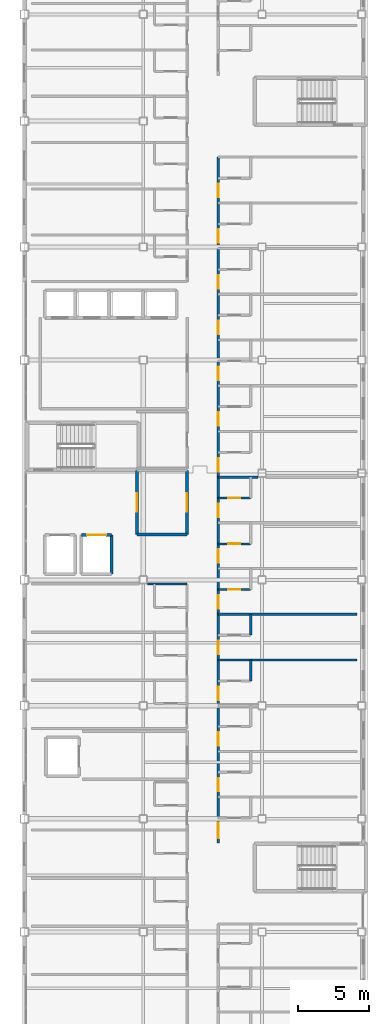
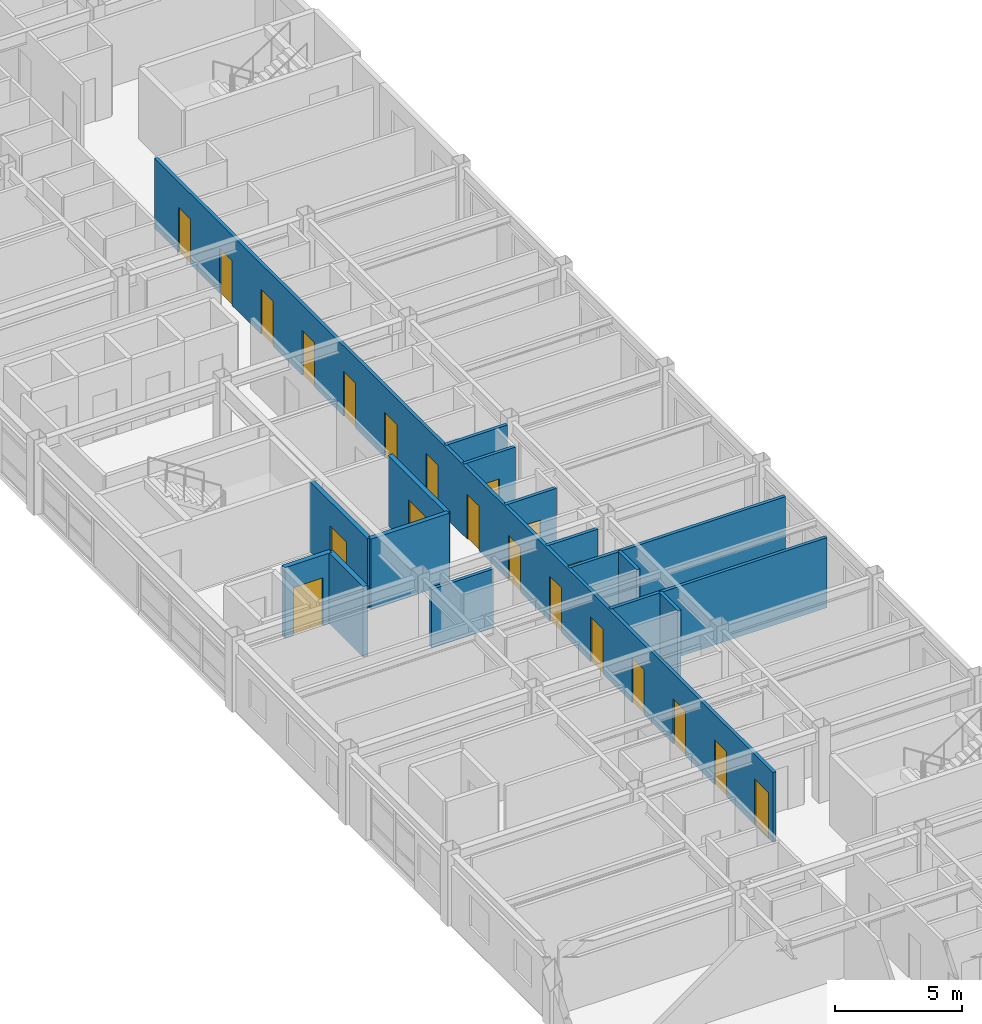
# One storey, part 27 of 36: 21 doors, 15 walls, 21 openings.
"""IFC4 building model written with IfcOpenShell, lengths in metres."""

from ifc_helpers import new_model, si_unit, direction, frame, frame_2d, origin, place, context, subcontext, project, spatial, rectangle, extrude, material, layer, layer_set, type_object, element, fill, save


model = new_model("IFC4")

# Units and contexts
model_context = context("Model", 3, precision=1e-05, world=origin(), true_north=direction((0.0, 1.0)))
body_context = subcontext(model_context, "Body", "Model", "MODEL_VIEW")
ifc_project = project(units=[si_unit("LENGTHUNIT", "METRE"), si_unit("AREAUNIT", "SQUARE_METRE"), si_unit("VOLUMEUNIT", "CUBIC_METRE"), si_unit("PLANEANGLEUNIT", "RADIAN"), si_unit("MASSUNIT", "GRAM", prefix="KILO")], contexts=[model_context])

# Site, building, storey
site_placement = place(None, origin())
site = spatial("IfcSite", under=ifc_project, at=site_placement, CompositionType="ELEMENT")
building_placement = place(site_placement, origin())
building = spatial("IfcBuilding", under=site, at=building_placement, Name="Kazehara Bluff Congress Hotel", CompositionType="ELEMENT")
storey_placement = place(building_placement, frame((0.0, 0.0, 28.199951171875)))
storey = spatial("IfcBuildingStorey", under=building, at=storey_placement, Name="L06", CompositionType="ELEMENT", Elevation=28.199951171875)

# Wall
ifc_material_1 = material(Name="Concrete C40/50", Category="concrete")
ifc_layer_1 = layer(ifc_material_1, 0.199951171875)
ifc_layer_set_1 = layer_set([ifc_layer_1], Name="Concrete C40/50")
wall_type_1 = type_object("IfcWallType", Name="TP-FW-RC", PredefinedType="SOLIDWALL", material=ifc_layer_set_1)
wall_1_placement = place(storey_placement, frame((151.64990234375, 44.10009765625, 0.0), z_axis=(0.0, 0.0, 1.0), x_axis=(1.0, 0.0, 0.0)))
element("IfcWall", 1, at=wall_1_placement, inside=storey, type_object=wall_type_1, Name="L06 partition FW-RC 732", PredefinedType="SOLIDWALL", context=body_context, shape_type="SweptSolid", body=[
    extrude(rectangle(XDim=3.550048828125, YDim=0.199951171875, at=frame_2d((1.77490234375, 0.0))), origin(), (0.0, 0.0, 1.0), 3.364990234375),
])

# Wall, opening, door
wall_2_placement = place(storey_placement, frame((151.64990234375, 44.10009765625, 0.0), z_axis=(0.0, 0.0, 1.0), x_axis=(0.0, 1.0, 0.0)))
wall_2 = element("IfcWall", 2, at=wall_2_placement, inside=storey, type_object=wall_type_1, Name="L06 partition FW-RC 800", PredefinedType="SOLIDWALL", context=body_context, shape_type="SweptSolid", body=[
    extrude(rectangle(XDim=4.5498046875, YDim=0.199951171875, at=frame_2d((2.27490234375, 0.0))), origin(), (0.0, 0.0, 1.0), 3.364990234375),
])
opening_1_placement = place(wall_2_placement, frame((1.625, 0.0, 0.0)))
opening_1 = element("IfcOpeningElement", 3, at=opening_1_placement, cuts=wall_2, Name="Opening FD-01", PredefinedType="OPENING", context=body_context, shape_type="SweptSolid", body=[
    extrude(rectangle(XDim=1.300048828125, YDim=2.199951171875, at=frame_2d((0.64990234375, 1.10009765625))), frame((0.0, 0.10986328125, 0.0), z_axis=(0.0, -1.0, 0.0), x_axis=(1.0, 0.0, 0.0)), (0.0, 0.0, 1.0), 0.219970703125),
])
ifc_material_2 = material(Name="Fire-rated painted steel leaf", Category="steel")
door_type_1 = type_object("IfcDoorType", Name="TP-FD-01", OperationType="NOTDEFINED", PredefinedType="DOOR", material=ifc_material_2)
door_1_placement = place(opening_1_placement, origin())
door_1 = element("IfcDoor", 4, at=door_1_placement, inside=storey, type_object=door_type_1, Name="L06 Emergency Firefighting Lobby door", OperationType="SINGLE_SWING_LEFT", OverallHeight=2.199951171875, OverallWidth=1.300048828125, PredefinedType="DOOR", context=body_context, shape_type="SweptSolid", body=[
    extrude(rectangle(XDim=1.300048828125, YDim=2.199951171875, at=frame_2d((0.64990234375, 1.10009765625))), frame((0.0, 0.02490234375, 0.0), z_axis=(0.0, -1.0, 0.0), x_axis=(1.0, 0.0, 0.0)), (0.0, 0.0, 1.0), 0.050048828125),
])
fill(opening_1, door_1)

wall_3_placement = place(storey_placement, frame((155.199951171875, 44.10009765625, 0.0), z_axis=(0.0, 0.0, 1.0), x_axis=(0.0, 1.0, 0.0)))
wall_3 = element("IfcWall", 5, at=wall_3_placement, inside=storey, type_object=wall_type_1, Name="L06 partition FW-RC 824", PredefinedType="SOLIDWALL", context=body_context, shape_type="SweptSolid", body=[
    extrude(rectangle(XDim=4.5498046875, YDim=0.199951171875, at=frame_2d((2.27490234375, 0.0))), origin(), (0.0, 0.0, 1.0), 3.364990234375),
])
opening_2_placement = place(wall_3_placement, frame((1.625, 0.0, 0.0)))
opening_2 = element("IfcOpeningElement", 6, at=opening_2_placement, cuts=wall_3, Name="Opening FD-01", PredefinedType="OPENING", context=body_context, shape_type="SweptSolid", body=[
    extrude(rectangle(XDim=1.300048828125, YDim=2.199951171875, at=frame_2d((0.64990234375, 1.10009765625))), frame((0.0, 0.10986328125, 0.0), z_axis=(0.0, -1.0, 0.0), x_axis=(1.0, 0.0, 0.0)), (0.0, 0.0, 1.0), 0.219970703125),
])
door_2_placement = place(opening_2_placement, origin())
door_2 = element("IfcDoor", 7, at=door_2_placement, inside=storey, type_object=door_type_1, Name="L06 Smoke Vestibule Lobby door", OperationType="SINGLE_SWING_RIGHT", OverallHeight=2.199951171875, OverallWidth=1.300048828125, PredefinedType="DOOR", context=body_context, shape_type="SweptSolid", body=[
    extrude(rectangle(XDim=1.300048828125, YDim=2.199951171875, at=frame_2d((0.64990234375, 1.10009765625))), frame((0.0, 0.02490234375, 0.0), z_axis=(0.0, -1.0, 0.0), x_axis=(1.0, 0.0, 0.0)), (0.0, 0.0, 1.0), 0.050048828125),
])
fill(opening_2, door_2)

# Walls
ifc_material_3 = material(Name="Fire-rated gypsum board stud partition")
ifc_layer_2 = layer(ifc_material_3, 0.14990234375)
ifc_layer_set_2 = layer_set([ifc_layer_2], Name="Fire-rated gypsum board stud partition")
wall_type_2 = type_object("IfcWallType", Name="TP-PT-150", PredefinedType="PARTITIONING", material=ifc_layer_set_2)
for number, where, z_axis, x_axis, name in (
    (8, (157.39990234375, 35.22998046875, 0.0), (0.0, 0.0, 1.0), (1.0, 0.0, 0.0), "L06 partition PT-150 721"),
    (9, (157.39990234375, 38.469970703125, 0.0), (0.0, 0.0, 1.0), (1.0, 0.0, 0.0), "L06 partition PT-150 725"),
):
    element("IfcWall", number, at=place(storey_placement, frame(where, z_axis=z_axis, x_axis=x_axis)), inside=storey, type_object=wall_type_2, Name=name, PredefinedType="PARTITIONING", context=body_context, shape_type="SweptSolid", body=[
        extrude(rectangle(XDim=9.800048828125, YDim=0.14990234375, at=frame_2d((4.89990234375, 0.0))), origin(), (0.0, 0.0, 1.0), 3.364990234375),
    ])

# Wall, opening, door
wall_4_placement = place(storey_placement, frame((157.39990234375, 40.219970703125, 0.0), z_axis=(0.0, 0.0, 1.0), x_axis=(1.0, 0.0, 0.0)))
wall_4 = element("IfcWall", 10, at=wall_4_placement, inside=storey, type_object=wall_type_2, Name="L06 partition PT-150 727", PredefinedType="PARTITIONING", context=body_context, shape_type="SweptSolid", body=[
    extrude(rectangle(XDim=2.300048828125, YDim=0.14990234375, at=frame_2d((1.14990234375, 0.0))), origin(), (0.0, 0.0, 1.0), 3.364990234375),
])
opening_3_placement = place(wall_4_placement, frame((0.72509765625, 0.0, 0.0)))
opening_3 = element("IfcOpeningElement", 11, at=opening_3_placement, cuts=wall_4, Name="Opening BD-01", PredefinedType="OPENING", context=body_context, shape_type="SweptSolid", body=[
    extrude(rectangle(XDim=0.85009765625, YDim=2.10009765625, at=frame_2d((0.425048828125, 1.050048828125))), frame((0.0, 0.0849609375, 0.0), z_axis=(0.0, -1.0, 0.0), x_axis=(1.0, 0.0, 0.0)), (0.0, 0.0, 1.0), 0.169921875),
])
ifc_material_4 = material(Name="Architectural oak veneer leaf")
door_type_2 = type_object("IfcDoorType", Name="TP-BD-01", OperationType="NOTDEFINED", PredefinedType="DOOR", material=ifc_material_4)
door_3_placement = place(opening_3_placement, origin())
door_3 = element("IfcDoor", 12, at=door_3_placement, inside=storey, type_object=door_type_2, Name="L06 En-suite Bathroom 149 door", OperationType="SINGLE_SWING_LEFT", OverallHeight=2.10009765625, OverallWidth=0.85009765625, PredefinedType="DOOR", context=body_context, shape_type="SweptSolid", body=[
    extrude(rectangle(XDim=0.85009765625, YDim=2.10009765625, at=frame_2d((0.425048828125, 1.050048828125))), frame((0.0, 0.02490234375, 0.0), z_axis=(0.0, -1.0, 0.0), x_axis=(1.0, 0.0, 0.0)), (0.0, 0.0, 1.0), 0.050048828125),
])
fill(opening_3, door_3)

# Wall
wall_5_placement = place(storey_placement, frame((152.39501953125, 40.60009765625, 0.0), z_axis=(0.0, 0.0, 1.0), x_axis=(1.0, 0.0, 0.0)))
element("IfcWall", 13, at=wall_5_placement, inside=storey, type_object=wall_type_2, Name="L06 partition PT-150 729", PredefinedType="PARTITIONING", context=body_context, shape_type="SweptSolid", body=[
    extrude(rectangle(XDim=2.804931640625, YDim=0.14990234375, at=frame_2d((1.40234375, 0.0))), origin(), (0.0, 0.0, 1.0), 2.804931640625),
])

# Wall, opening, door
wall_6_placement = place(storey_placement, frame((157.39990234375, 43.449951171875, 0.0), z_axis=(0.0, 0.0, 1.0), x_axis=(1.0, 0.0, 0.0)))
wall_6 = element("IfcWall", 14, at=wall_6_placement, inside=storey, type_object=wall_type_2, Name="L06 partition PT-150 731", PredefinedType="PARTITIONING", context=body_context, shape_type="SweptSolid", body=[
    extrude(rectangle(XDim=2.300048828125, YDim=0.14990234375, at=frame_2d((1.14990234375, 0.0))), origin(), (0.0, 0.0, 1.0), 3.364990234375),
])
opening_4_placement = place(wall_6_placement, frame((0.72509765625, 0.0, 0.0)))
opening_4 = element("IfcOpeningElement", 15, at=opening_4_placement, cuts=wall_6, Name="Opening BD-01", PredefinedType="OPENING", context=body_context, shape_type="SweptSolid", body=[
    extrude(rectangle(XDim=0.85009765625, YDim=2.10009765625, at=frame_2d((0.425048828125, 1.050048828125))), frame((0.0, 0.0849609375, 0.0), z_axis=(0.0, -1.0, 0.0), x_axis=(1.0, 0.0, 0.0)), (0.0, 0.0, 1.0), 0.169921875),
])
door_4_placement = place(opening_4_placement, origin())
door_4 = element("IfcDoor", 16, at=door_4_placement, inside=storey, type_object=door_type_2, Name="L06 En-suite Bathroom 150 door", OperationType="SINGLE_SWING_LEFT", OverallHeight=2.10009765625, OverallWidth=0.85009765625, PredefinedType="DOOR", context=body_context, shape_type="SweptSolid", body=[
    extrude(rectangle(XDim=0.85009765625, YDim=2.10009765625, at=frame_2d((0.425048828125, 1.050048828125))), frame((0.0, 0.02490234375, 0.0), z_axis=(0.0, -1.0, 0.0), x_axis=(1.0, 0.0, 0.0)), (0.0, 0.0, 1.0), 0.050048828125),
])
fill(opening_4, door_4)

wall_7_placement = place(storey_placement, frame((157.39990234375, 46.68994140625, 0.0), z_axis=(0.0, 0.0, 1.0), x_axis=(1.0, 0.0, 0.0)))
wall_7 = element("IfcWall", 17, at=wall_7_placement, inside=storey, type_object=wall_type_2, Name="L06 partition PT-150 734", PredefinedType="PARTITIONING", context=body_context, shape_type="SweptSolid", body=[
    extrude(rectangle(XDim=2.300048828125, YDim=0.14990234375, at=frame_2d((1.14990234375, 0.0))), origin(), (0.0, 0.0, 1.0), 3.364990234375),
])
opening_5_placement = place(wall_7_placement, frame((0.72509765625, 0.0, 0.0)))
opening_5 = element("IfcOpeningElement", 18, at=opening_5_placement, cuts=wall_7, Name="Opening BD-01", PredefinedType="OPENING", context=body_context, shape_type="SweptSolid", body=[
    extrude(rectangle(XDim=0.85009765625, YDim=2.10009765625, at=frame_2d((0.425048828125, 1.050048828125))), frame((0.0, 0.0849609375, 0.0), z_axis=(0.0, -1.0, 0.0), x_axis=(1.0, 0.0, 0.0)), (0.0, 0.0, 1.0), 0.169921875),
])
door_5_placement = place(opening_5_placement, origin())
door_5 = element("IfcDoor", 19, at=door_5_placement, inside=storey, type_object=door_type_2, Name="L06 En-suite Bathroom 151 door", OperationType="SINGLE_SWING_LEFT", OverallHeight=2.10009765625, OverallWidth=0.85009765625, PredefinedType="DOOR", context=body_context, shape_type="SweptSolid", body=[
    extrude(rectangle(XDim=0.85009765625, YDim=2.10009765625, at=frame_2d((0.425048828125, 1.050048828125))), frame((0.0, 0.02490234375, 0.0), z_axis=(0.0, -1.0, 0.0), x_axis=(1.0, 0.0, 0.0)), (0.0, 0.0, 1.0), 0.050048828125),
])
fill(opening_5, door_5)

# Wall
wall_8_placement = place(storey_placement, frame((157.39990234375, 48.159912109375, 0.0), z_axis=(0.0, 0.0, 1.0), x_axis=(1.0, 0.0, 0.0)))
element("IfcWall", 20, at=wall_8_placement, inside=storey, type_object=wall_type_2, Name="L06 partition PT-150 735", PredefinedType="PARTITIONING", context=body_context, shape_type="SweptSolid", body=[
    extrude(rectangle(XDim=2.80517578125, YDim=0.14990234375, at=frame_2d((1.402587890625, 0.0))), origin(), (0.0, 0.0, 1.0), 3.364990234375),
])

# Wall, openings, doors
wall_9_placement = place(storey_placement, frame((157.39990234375, 22.300048828125, 0.0), z_axis=(0.0, 0.0, 1.0), x_axis=(0.0, 1.0, 0.0)))
wall_9 = element("IfcWall", 21, at=wall_9_placement, inside=storey, type_object=wall_type_2, Name="L06 partition PT-150 829", PredefinedType="PARTITIONING", context=body_context, shape_type="SweptSolid", body=[
    extrude(rectangle(XDim=48.5, YDim=0.14990234375, at=frame_2d((24.25, 0.0))), origin(), (0.0, 0.0, 1.0), 3.364990234375),
])
opening_6_placement = place(wall_9_placement, frame((0.324951171875, 0.0, 0.0)))
opening_6 = element("IfcOpeningElement", 22, at=opening_6_placement, cuts=wall_9, Name="Opening GD-02", PredefinedType="OPENING", context=body_context, shape_type="SweptSolid", body=[
    extrude(rectangle(XDim=1.10009765625, YDim=2.199951171875, at=frame_2d((0.550048828125, 1.10009765625))), frame((0.0, 0.0849609375, 0.0), z_axis=(0.0, -1.0, 0.0), x_axis=(1.0, 0.0, 0.0)), (0.0, 0.0, 1.0), 0.169921875),
])
opening_7_placement = place(wall_9_placement, frame((3.635009765625, 0.0, 0.0)))
opening_7 = element("IfcOpeningElement", 23, at=opening_7_placement, cuts=wall_9, Name="Opening GD-01", PredefinedType="OPENING", context=body_context, shape_type="SweptSolid", body=[
    extrude(rectangle(XDim=0.949951171875, YDim=2.14990234375, at=frame_2d((0.47509765625, 1.074951171875))), frame((0.0, 0.0849609375, 0.0), z_axis=(0.0, -1.0, 0.0), x_axis=(1.0, 0.0, 0.0)), (0.0, 0.0, 1.0), 0.169921875),
])
opening_8_placement = place(wall_9_placement, frame((6.864990234375, 0.0, 0.0)))
opening_8 = element("IfcOpeningElement", 24, at=opening_8_placement, cuts=wall_9, Name="Opening GD-01", PredefinedType="OPENING", context=body_context, shape_type="SweptSolid", body=[
    extrude(rectangle(XDim=0.949951171875, YDim=2.14990234375, at=frame_2d((0.47509765625, 1.074951171875))), frame((0.0, 0.0849609375, 0.0), z_axis=(0.0, -1.0, 0.0), x_axis=(1.0, 0.0, 0.0)), (0.0, 0.0, 1.0), 0.169921875),
])
opening_9_placement = place(wall_9_placement, frame((10.10009765625, 0.0, 0.0)))
opening_9 = element("IfcOpeningElement", 25, at=opening_9_placement, cuts=wall_9, Name="Opening GD-01", PredefinedType="OPENING", context=body_context, shape_type="SweptSolid", body=[
    extrude(rectangle(XDim=0.949951171875, YDim=2.14990234375, at=frame_2d((0.47509765625, 1.074951171875))), frame((0.0, 0.0849609375, 0.0), z_axis=(0.0, -1.0, 0.0), x_axis=(1.0, 0.0, 0.0)), (0.0, 0.0, 1.0), 0.169921875),
])
opening_10_placement = place(wall_9_placement, frame((13.3349609375, 0.0, 0.0)))
opening_10 = element("IfcOpeningElement", 26, at=opening_10_placement, cuts=wall_9, Name="Opening GD-01", PredefinedType="OPENING", context=body_context, shape_type="SweptSolid", body=[
    extrude(rectangle(XDim=0.949951171875, YDim=2.14990234375, at=frame_2d((0.47509765625, 1.074951171875))), frame((0.0, 0.0849609375, 0.0), z_axis=(0.0, -1.0, 0.0), x_axis=(1.0, 0.0, 0.0)), (0.0, 0.0, 1.0), 0.169921875),
])
opening_11_placement = place(wall_9_placement, frame((16.56494140625, 0.0, 0.0)))
opening_11 = element("IfcOpeningElement", 27, at=opening_11_placement, cuts=wall_9, Name="Opening GD-01", PredefinedType="OPENING", context=body_context, shape_type="SweptSolid", body=[
    extrude(rectangle(XDim=0.949951171875, YDim=2.14990234375, at=frame_2d((0.47509765625, 1.074951171875))), frame((0.0, 0.0849609375, 0.0), z_axis=(0.0, -1.0, 0.0), x_axis=(1.0, 0.0, 0.0)), (0.0, 0.0, 1.0), 0.169921875),
])
opening_12_placement = place(wall_9_placement, frame((19.800048828125, 0.0, 0.0)))
opening_12 = element("IfcOpeningElement", 28, at=opening_12_placement, cuts=wall_9, Name="Opening GD-01", PredefinedType="OPENING", context=body_context, shape_type="SweptSolid", body=[
    extrude(rectangle(XDim=0.949951171875, YDim=2.14990234375, at=frame_2d((0.47509765625, 1.074951171875))), frame((0.0, 0.0849609375, 0.0), z_axis=(0.0, -1.0, 0.0), x_axis=(1.0, 0.0, 0.0)), (0.0, 0.0, 1.0), 0.169921875),
])
opening_13_placement = place(wall_9_placement, frame((23.034912109375, 0.0, 0.0)))
opening_13 = element("IfcOpeningElement", 29, at=opening_13_placement, cuts=wall_9, Name="Opening GD-01", PredefinedType="OPENING", context=body_context, shape_type="SweptSolid", body=[
    extrude(rectangle(XDim=0.949951171875, YDim=2.14990234375, at=frame_2d((0.47509765625, 1.074951171875))), frame((0.0, 0.0849609375, 0.0), z_axis=(0.0, -1.0, 0.0), x_axis=(1.0, 0.0, 0.0)), (0.0, 0.0, 1.0), 0.169921875),
])
opening_14_placement = place(wall_9_placement, frame((26.264892578125, 0.0, 0.0)))
opening_14 = element("IfcOpeningElement", 30, at=opening_14_placement, cuts=wall_9, Name="Opening GD-01", PredefinedType="OPENING", context=body_context, shape_type="SweptSolid", body=[
    extrude(rectangle(XDim=0.949951171875, YDim=2.14990234375, at=frame_2d((0.47509765625, 1.074951171875))), frame((0.0, 0.0849609375, 0.0), z_axis=(0.0, -1.0, 0.0), x_axis=(1.0, 0.0, 0.0)), (0.0, 0.0, 1.0), 0.169921875),
])
opening_15_placement = place(wall_9_placement, frame((29.5, 0.0, 0.0)))
opening_15 = element("IfcOpeningElement", 31, at=opening_15_placement, cuts=wall_9, Name="Opening GD-01", PredefinedType="OPENING", context=body_context, shape_type="SweptSolid", body=[
    extrude(rectangle(XDim=0.949951171875, YDim=2.14990234375, at=frame_2d((0.47509765625, 1.074951171875))), frame((0.0, 0.0849609375, 0.0), z_axis=(0.0, -1.0, 0.0), x_axis=(1.0, 0.0, 0.0)), (0.0, 0.0, 1.0), 0.169921875),
])
opening_16_placement = place(wall_9_placement, frame((32.735107421875, 0.0, 0.0)))
opening_16 = element("IfcOpeningElement", 32, at=opening_16_placement, cuts=wall_9, Name="Opening GD-01", PredefinedType="OPENING", context=body_context, shape_type="SweptSolid", body=[
    extrude(rectangle(XDim=0.949951171875, YDim=2.14990234375, at=frame_2d((0.47509765625, 1.074951171875))), frame((0.0, 0.0849609375, 0.0), z_axis=(0.0, -1.0, 0.0), x_axis=(1.0, 0.0, 0.0)), (0.0, 0.0, 1.0), 0.169921875),
])
opening_17_placement = place(wall_9_placement, frame((35.965087890625, 0.0, 0.0)))
opening_17 = element("IfcOpeningElement", 33, at=opening_17_placement, cuts=wall_9, Name="Opening GD-01", PredefinedType="OPENING", context=body_context, shape_type="SweptSolid", body=[
    extrude(rectangle(XDim=0.949951171875, YDim=2.14990234375, at=frame_2d((0.47509765625, 1.074951171875))), frame((0.0, 0.0849609375, 0.0), z_axis=(0.0, -1.0, 0.0), x_axis=(1.0, 0.0, 0.0)), (0.0, 0.0, 1.0), 0.169921875),
])
opening_18_placement = place(wall_9_placement, frame((39.199951171875, 0.0, 0.0)))
opening_18 = element("IfcOpeningElement", 34, at=opening_18_placement, cuts=wall_9, Name="Opening GD-01", PredefinedType="OPENING", context=body_context, shape_type="SweptSolid", body=[
    extrude(rectangle(XDim=0.949951171875, YDim=2.14990234375, at=frame_2d((0.47509765625, 1.074951171875))), frame((0.0, 0.0849609375, 0.0), z_axis=(0.0, -1.0, 0.0), x_axis=(1.0, 0.0, 0.0)), (0.0, 0.0, 1.0), 0.169921875),
])
opening_19_placement = place(wall_9_placement, frame((42.43505859375, 0.0, 0.0)))
opening_19 = element("IfcOpeningElement", 35, at=opening_19_placement, cuts=wall_9, Name="Opening GD-01", PredefinedType="OPENING", context=body_context, shape_type="SweptSolid", body=[
    extrude(rectangle(XDim=0.949951171875, YDim=2.14990234375, at=frame_2d((0.47509765625, 1.074951171875))), frame((0.0, 0.0849609375, 0.0), z_axis=(0.0, -1.0, 0.0), x_axis=(1.0, 0.0, 0.0)), (0.0, 0.0, 1.0), 0.169921875),
])
opening_20_placement = place(wall_9_placement, frame((45.6650390625, 0.0, 0.0)))
opening_20 = element("IfcOpeningElement", 36, at=opening_20_placement, cuts=wall_9, Name="Opening GD-01", PredefinedType="OPENING", context=body_context, shape_type="SweptSolid", body=[
    extrude(rectangle(XDim=0.949951171875, YDim=2.14990234375, at=frame_2d((0.47509765625, 1.074951171875))), frame((0.0, 0.0849609375, 0.0), z_axis=(0.0, -1.0, 0.0), x_axis=(1.0, 0.0, 0.0)), (0.0, 0.0, 1.0), 0.169921875),
])
ifc_material_5 = material(Name="Architectural oak veneer leaf")
door_type_3 = type_object("IfcDoorType", Name="TP-GD-01", OperationType="NOTDEFINED", PredefinedType="DOOR", material=ifc_material_5)
door_6_placement = place(opening_7_placement, origin())
door_6 = element("IfcDoor", 37, at=door_6_placement, inside=storey, type_object=door_type_3, Name="L06 Standard King Guest Room 145 door", OperationType="SINGLE_SWING_RIGHT", OverallHeight=2.14990234375, OverallWidth=0.949951171875, PredefinedType="DOOR", context=body_context, shape_type="SweptSolid", body=[
    extrude(rectangle(XDim=0.949951171875, YDim=2.14990234375, at=frame_2d((0.47509765625, 1.074951171875))), frame((0.0, 0.02490234375, 0.0), z_axis=(0.0, -1.0, 0.0), x_axis=(1.0, 0.0, 0.0)), (0.0, 0.0, 1.0), 0.050048828125),
])
fill(opening_7, door_6)
door_7_placement = place(opening_8_placement, origin())
door_7 = element("IfcDoor", 38, at=door_7_placement, inside=storey, type_object=door_type_3, Name="L06 Deluxe Twin Guest Room 146 door", OperationType="SINGLE_SWING_RIGHT", OverallHeight=2.14990234375, OverallWidth=0.949951171875, PredefinedType="DOOR", context=body_context, shape_type="SweptSolid", body=[
    extrude(rectangle(XDim=0.949951171875, YDim=2.14990234375, at=frame_2d((0.47509765625, 1.074951171875))), frame((0.0, 0.02490234375, 0.0), z_axis=(0.0, -1.0, 0.0), x_axis=(1.0, 0.0, 0.0)), (0.0, 0.0, 1.0), 0.050048828125),
])
fill(opening_8, door_7)
door_8_placement = place(opening_9_placement, origin())
door_8 = element("IfcDoor", 39, at=door_8_placement, inside=storey, type_object=door_type_3, Name="L06 Standard King Guest Room 147 door", OperationType="SINGLE_SWING_RIGHT", OverallHeight=2.14990234375, OverallWidth=0.949951171875, PredefinedType="DOOR", context=body_context, shape_type="SweptSolid", body=[
    extrude(rectangle(XDim=0.949951171875, YDim=2.14990234375, at=frame_2d((0.47509765625, 1.074951171875))), frame((0.0, 0.02490234375, 0.0), z_axis=(0.0, -1.0, 0.0), x_axis=(1.0, 0.0, 0.0)), (0.0, 0.0, 1.0), 0.050048828125),
])
fill(opening_9, door_8)
door_9_placement = place(opening_10_placement, origin())
door_9 = element("IfcDoor", 40, at=door_9_placement, inside=storey, type_object=door_type_3, Name="L06 Deluxe Twin Guest Room 148 door", OperationType="SINGLE_SWING_RIGHT", OverallHeight=2.14990234375, OverallWidth=0.949951171875, PredefinedType="DOOR", context=body_context, shape_type="SweptSolid", body=[
    extrude(rectangle(XDim=0.949951171875, YDim=2.14990234375, at=frame_2d((0.47509765625, 1.074951171875))), frame((0.0, 0.02490234375, 0.0), z_axis=(0.0, -1.0, 0.0), x_axis=(1.0, 0.0, 0.0)), (0.0, 0.0, 1.0), 0.050048828125),
])
fill(opening_10, door_9)
door_10_placement = place(opening_11_placement, origin())
door_10 = element("IfcDoor", 41, at=door_10_placement, inside=storey, type_object=door_type_3, Name="L06 Standard King Guest Room 149 door", OperationType="SINGLE_SWING_RIGHT", OverallHeight=2.14990234375, OverallWidth=0.949951171875, PredefinedType="DOOR", context=body_context, shape_type="SweptSolid", body=[
    extrude(rectangle(XDim=0.949951171875, YDim=2.14990234375, at=frame_2d((0.47509765625, 1.074951171875))), frame((0.0, 0.02490234375, 0.0), z_axis=(0.0, -1.0, 0.0), x_axis=(1.0, 0.0, 0.0)), (0.0, 0.0, 1.0), 0.050048828125),
])
fill(opening_11, door_10)
door_11_placement = place(opening_12_placement, origin())
door_11 = element("IfcDoor", 42, at=door_11_placement, inside=storey, type_object=door_type_3, Name="L06 Deluxe Twin Guest Room 150 door", OperationType="SINGLE_SWING_RIGHT", OverallHeight=2.14990234375, OverallWidth=0.949951171875, PredefinedType="DOOR", context=body_context, shape_type="SweptSolid", body=[
    extrude(rectangle(XDim=0.949951171875, YDim=2.14990234375, at=frame_2d((0.47509765625, 1.074951171875))), frame((0.0, 0.02490234375, 0.0), z_axis=(0.0, -1.0, 0.0), x_axis=(1.0, 0.0, 0.0)), (0.0, 0.0, 1.0), 0.050048828125),
])
fill(opening_12, door_11)
door_12_placement = place(opening_13_placement, origin())
door_12 = element("IfcDoor", 43, at=door_12_placement, inside=storey, type_object=door_type_3, Name="L06 Standard King Guest Room 151 door", OperationType="SINGLE_SWING_RIGHT", OverallHeight=2.14990234375, OverallWidth=0.949951171875, PredefinedType="DOOR", context=body_context, shape_type="SweptSolid", body=[
    extrude(rectangle(XDim=0.949951171875, YDim=2.14990234375, at=frame_2d((0.47509765625, 1.074951171875))), frame((0.0, 0.02490234375, 0.0), z_axis=(0.0, -1.0, 0.0), x_axis=(1.0, 0.0, 0.0)), (0.0, 0.0, 1.0), 0.050048828125),
])
fill(opening_13, door_12)
door_13_placement = place(opening_14_placement, origin())
door_13 = element("IfcDoor", 44, at=door_13_placement, inside=storey, type_object=door_type_3, Name="L06 Deluxe Twin Guest Room 152 door", OperationType="SINGLE_SWING_RIGHT", OverallHeight=2.14990234375, OverallWidth=0.949951171875, PredefinedType="DOOR", context=body_context, shape_type="SweptSolid", body=[
    extrude(rectangle(XDim=0.949951171875, YDim=2.14990234375, at=frame_2d((0.47509765625, 1.074951171875))), frame((0.0, 0.02490234375, 0.0), z_axis=(0.0, -1.0, 0.0), x_axis=(1.0, 0.0, 0.0)), (0.0, 0.0, 1.0), 0.050048828125),
])
fill(opening_14, door_13)
door_14_placement = place(opening_15_placement, origin())
door_14 = element("IfcDoor", 45, at=door_14_placement, inside=storey, type_object=door_type_3, Name="L06 Standard King Guest Room 153 door", OperationType="SINGLE_SWING_RIGHT", OverallHeight=2.14990234375, OverallWidth=0.949951171875, PredefinedType="DOOR", context=body_context, shape_type="SweptSolid", body=[
    extrude(rectangle(XDim=0.949951171875, YDim=2.14990234375, at=frame_2d((0.47509765625, 1.074951171875))), frame((0.0, 0.02490234375, 0.0), z_axis=(0.0, -1.0, 0.0), x_axis=(1.0, 0.0, 0.0)), (0.0, 0.0, 1.0), 0.050048828125),
])
fill(opening_15, door_14)
door_15_placement = place(opening_16_placement, origin())
door_15 = element("IfcDoor", 46, at=door_15_placement, inside=storey, type_object=door_type_3, Name="L06 Deluxe Twin Guest Room 154 door", OperationType="SINGLE_SWING_RIGHT", OverallHeight=2.14990234375, OverallWidth=0.949951171875, PredefinedType="DOOR", context=body_context, shape_type="SweptSolid", body=[
    extrude(rectangle(XDim=0.949951171875, YDim=2.14990234375, at=frame_2d((0.47509765625, 1.074951171875))), frame((0.0, 0.02490234375, 0.0), z_axis=(0.0, -1.0, 0.0), x_axis=(1.0, 0.0, 0.0)), (0.0, 0.0, 1.0), 0.050048828125),
])
fill(opening_16, door_15)
door_16_placement = place(opening_17_placement, origin())
door_16 = element("IfcDoor", 47, at=door_16_placement, inside=storey, type_object=door_type_3, Name="L06 Standard King Guest Room 155 door", OperationType="SINGLE_SWING_RIGHT", OverallHeight=2.14990234375, OverallWidth=0.949951171875, PredefinedType="DOOR", context=body_context, shape_type="SweptSolid", body=[
    extrude(rectangle(XDim=0.949951171875, YDim=2.14990234375, at=frame_2d((0.47509765625, 1.074951171875))), frame((0.0, 0.02490234375, 0.0), z_axis=(0.0, -1.0, 0.0), x_axis=(1.0, 0.0, 0.0)), (0.0, 0.0, 1.0), 0.050048828125),
])
fill(opening_17, door_16)
door_17_placement = place(opening_18_placement, origin())
door_17 = element("IfcDoor", 48, at=door_17_placement, inside=storey, type_object=door_type_3, Name="L06 Deluxe Twin Guest Room 156 door", OperationType="SINGLE_SWING_RIGHT", OverallHeight=2.14990234375, OverallWidth=0.949951171875, PredefinedType="DOOR", context=body_context, shape_type="SweptSolid", body=[
    extrude(rectangle(XDim=0.949951171875, YDim=2.14990234375, at=frame_2d((0.47509765625, 1.074951171875))), frame((0.0, 0.02490234375, 0.0), z_axis=(0.0, -1.0, 0.0), x_axis=(1.0, 0.0, 0.0)), (0.0, 0.0, 1.0), 0.050048828125),
])
fill(opening_18, door_17)
door_18_placement = place(opening_19_placement, origin())
door_18 = element("IfcDoor", 49, at=door_18_placement, inside=storey, type_object=door_type_3, Name="L06 Standard King Guest Room 157 door", OperationType="SINGLE_SWING_RIGHT", OverallHeight=2.14990234375, OverallWidth=0.949951171875, PredefinedType="DOOR", context=body_context, shape_type="SweptSolid", body=[
    extrude(rectangle(XDim=0.949951171875, YDim=2.14990234375, at=frame_2d((0.47509765625, 1.074951171875))), frame((0.0, 0.02490234375, 0.0), z_axis=(0.0, -1.0, 0.0), x_axis=(1.0, 0.0, 0.0)), (0.0, 0.0, 1.0), 0.050048828125),
])
fill(opening_19, door_18)
door_19_placement = place(opening_20_placement, origin())
door_19 = element("IfcDoor", 50, at=door_19_placement, inside=storey, type_object=door_type_3, Name="L06 Deluxe Twin Guest Room 158 door", OperationType="SINGLE_SWING_RIGHT", OverallHeight=2.14990234375, OverallWidth=0.949951171875, PredefinedType="DOOR", context=body_context, shape_type="SweptSolid", body=[
    extrude(rectangle(XDim=0.949951171875, YDim=2.14990234375, at=frame_2d((0.47509765625, 1.074951171875))), frame((0.0, 0.02490234375, 0.0), z_axis=(0.0, -1.0, 0.0), x_axis=(1.0, 0.0, 0.0)), (0.0, 0.0, 1.0), 0.050048828125),
])
fill(opening_20, door_19)
ifc_material_6 = material(Name="Architectural oak veneer leaf")
door_type_4 = type_object("IfcDoorType", Name="TP-GD-02", OperationType="NOTDEFINED", PredefinedType="DOOR", material=ifc_material_6)
door_20_placement = place(opening_6_placement, origin())
door_20 = element("IfcDoor", 51, at=door_20_placement, inside=storey, type_object=door_type_4, Name="L06 Executive Suite 144 door", OperationType="SINGLE_SWING_RIGHT", OverallHeight=2.199951171875, OverallWidth=1.10009765625, PredefinedType="DOOR", context=body_context, shape_type="SweptSolid", body=[
    extrude(rectangle(XDim=1.10009765625, YDim=2.199951171875, at=frame_2d((0.550048828125, 1.10009765625))), frame((0.0, 0.02490234375, 0.0), z_axis=(0.0, -1.0, 0.0), x_axis=(1.0, 0.0, 0.0)), (0.0, 0.0, 1.0), 0.050048828125),
])
fill(opening_6, door_20)

# Walls
wall_10_placement = place(storey_placement, frame((159.699951171875, 33.75, 0.0), z_axis=(0.0, 0.0, 1.0), x_axis=(0.0, 1.0, 0.0)))
element("IfcWall", 52, at=wall_10_placement, inside=storey, type_object=wall_type_2, Name="L06 partition PT-150 839", PredefinedType="PARTITIONING", context=body_context, shape_type="SweptSolid", body=[
    extrude(rectangle(XDim=1.485107421875, YDim=0.14990234375, at=frame_2d((0.74267578125, 0.0))), origin(), (0.0, 0.0, 1.0), 3.364990234375),
])
wall_11_placement = place(storey_placement, frame((159.699951171875, 36.985107421875, 0.0), z_axis=(0.0, 0.0, 1.0), x_axis=(0.0, 1.0, 0.0)))
element("IfcWall", 53, at=wall_11_placement, inside=storey, type_object=wall_type_2, Name="L06 partition PT-150 840", PredefinedType="PARTITIONING", context=body_context, shape_type="SweptSolid", body=[
    extrude(rectangle(XDim=1.47998046875, YDim=0.14990234375, at=frame_2d((0.739990234375, 0.0))), origin(), (0.0, 0.0, 1.0), 3.364990234375),
])

# Wall, opening, door
ifc_material_7 = material(Name="Concrete C40/50", Category="concrete")
ifc_layer_3 = layer(ifc_material_7, 0.219970703125)
ifc_layer_set_3 = layer_set([ifc_layer_3], Name="Concrete C40/50")
wall_type_3 = type_object("IfcWallType", Name="TP-SW-RC", PredefinedType="SHEAR", material=ifc_layer_set_3)
wall_12_placement = place(storey_placement, frame((147.739990234375, 44.0849609375, 0.0), z_axis=(0.0, 0.0, 1.0), x_axis=(1.0, 0.0, 0.0)))
wall_12 = element("IfcWall", 54, at=wall_12_placement, inside=storey, type_object=wall_type_3, Name="L06 EL-E2 lift shaft wall +Y", PredefinedType="SHEAR", context=body_context, shape_type="SweptSolid", body=[
    extrude(rectangle(XDim=2.1201171875, YDim=0.219970703125, at=frame_2d((1.06005859375, 0.0))), origin(), (0.0, 0.0, 1.0), 3.380126953125),
])
opening_21_placement = place(wall_12_placement, frame((0.385009765625, 0.0, 0.0)))
opening_21 = element("IfcOpeningElement", 55, at=opening_21_placement, cuts=wall_12, Name="Opening LD-03", PredefinedType="OPENING", context=body_context, shape_type="SweptSolid", body=[
    extrude(rectangle(XDim=1.35009765625, YDim=2.300048828125, at=frame_2d((0.675048828125, 1.14990234375))), frame((0.0, 0.119873046875, 0.0), z_axis=(0.0, -1.0, 0.0), x_axis=(1.0, 0.0, 0.0)), (0.0, 0.0, 1.0), 0.239990234375),
])
ifc_material_8 = material(Name="Fire-rated painted steel leaf", Category="steel")
door_type_5 = type_object("IfcDoorType", Name="TP-LD-03", OperationType="SLIDING_TO_LEFT", PredefinedType="DOOR", material=ifc_material_8)
door_21_placement = place(opening_21_placement, origin())
door_21 = element("IfcDoor", 56, at=door_21_placement, inside=storey, type_object=door_type_5, Name="L06 EL-E2 elevator landing door", OperationType="SLIDING_TO_LEFT", OverallHeight=2.300048828125, OverallWidth=1.35009765625, PredefinedType="DOOR", context=body_context, shape_type="SweptSolid", body=[
    extrude(rectangle(XDim=1.35009765625, YDim=2.300048828125, at=frame_2d((0.675048828125, 1.14990234375))), frame((0.0, 0.02490234375, 0.0), z_axis=(0.0, -1.0, 0.0), x_axis=(1.0, 0.0, 0.0)), (0.0, 0.0, 1.0), 0.050048828125),
])
fill(opening_21, door_21)

# Wall
wall_13_placement = place(storey_placement, frame((149.860107421875, 41.31494140625, 0.0), z_axis=(0.0, 0.0, 1.0), x_axis=(0.0, 1.0, 0.0)))
element("IfcWall", 57, at=wall_13_placement, inside=storey, type_object=wall_type_3, Name="L06 EL-E2 lift shaft wall +X", PredefinedType="SHEAR", context=body_context, shape_type="SweptSolid", body=[
    extrude(rectangle(XDim=2.77001953125, YDim=0.219970703125, at=frame_2d((1.385009765625, 0.0))), origin(), (0.0, 0.0, 1.0), 3.380126953125),
])

save(model, "model.ifc")
